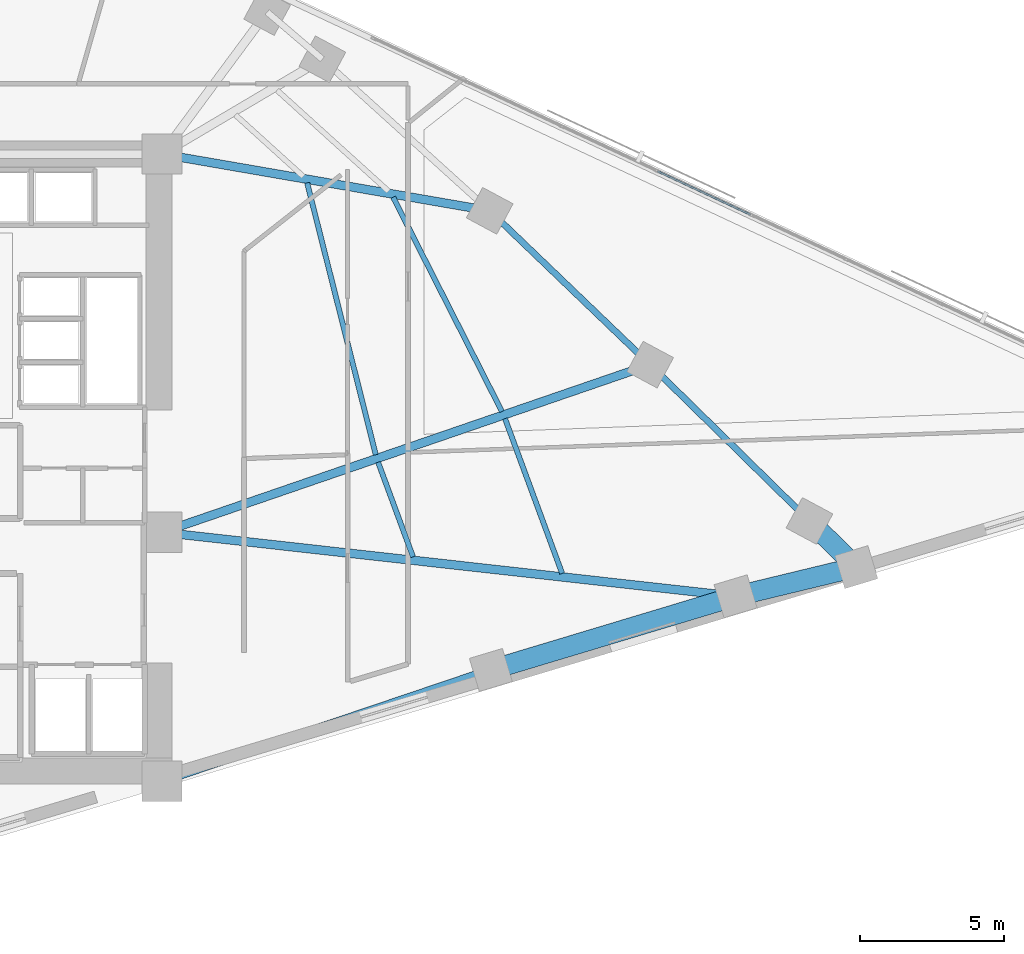
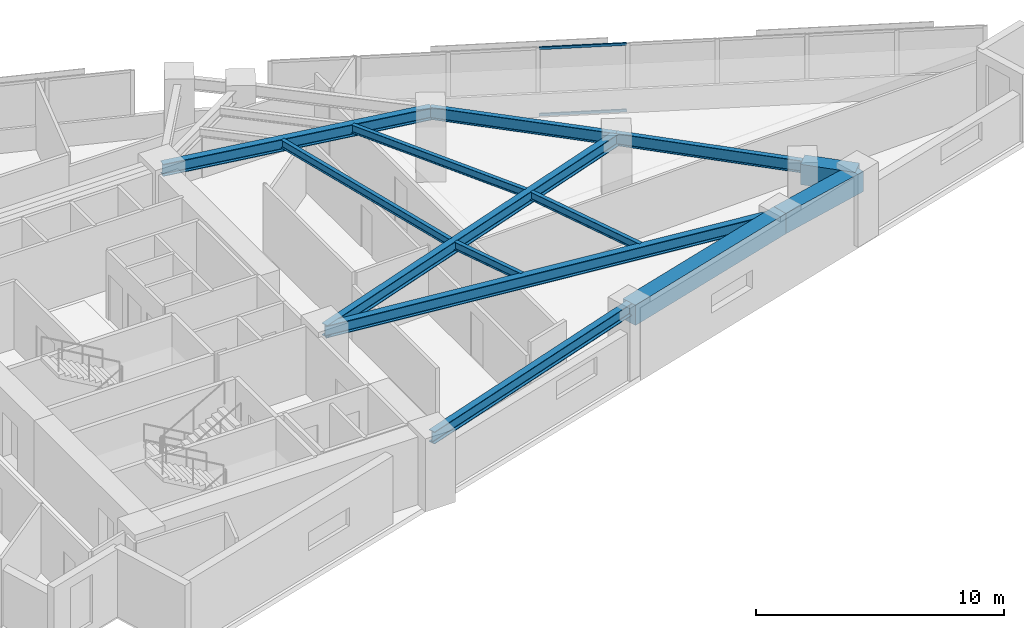
# One storey, part 3 of 15: 13 beams, 2 members, 1 element without a shape of its own.
"""IFC4 building model written with IfcOpenShell, lengths in metres."""

from ifc_helpers import new_model, si_unit, direction, frame, origin, origin_2d, place, context, subcontext, project, spatial, rectangle, hollow_rectangle, i_section, extrude, material, material_profile, profile_set, type_object, element, aggregate, save


model = new_model("IFC4")

# Units and contexts
model_context = context("Model", 3, precision=1e-05, world=origin(), true_north=direction((0.0, 1.0)))
body_context = subcontext(model_context, "Body", "Model", "MODEL_VIEW")
ifc_project = project(units=[si_unit("LENGTHUNIT", "METRE"), si_unit("AREAUNIT", "SQUARE_METRE"), si_unit("VOLUMEUNIT", "CUBIC_METRE"), si_unit("PLANEANGLEUNIT", "RADIAN"), si_unit("MASSUNIT", "GRAM", prefix="KILO")], contexts=[model_context])

# Site, building, storey
site_placement = place(None, origin())
site = spatial("IfcSite", under=ifc_project, at=site_placement, CompositionType="ELEMENT")
building_placement = place(site_placement, origin())
building = spatial("IfcBuilding", under=site, at=building_placement, Name="Narakoshi Arena Tower", CompositionType="ELEMENT")
storey_placement = place(building_placement, frame((0.0, 0.0, 143.10009765625)))
storey = spatial("IfcBuildingStorey", under=building, at=storey_placement, Name="L38", CompositionType="ELEMENT", Elevation=143.10009765625)

# Beams
ifc_material_1 = material(Name="Concrete C60/75", Category="concrete")
ifc_material_profile_1 = material_profile(ifc_material_1, rectangle(XDim=0.699951171875, YDim=1.0, at=origin_2d()), Name="RCB700x1000")
ifc_profile_set_1 = profile_set([ifc_material_profile_1], Name="Concrete C60/75")
beam_type_1 = type_object("IfcBeamType", Name="BM-CPL-1000", PredefinedType="BEAM", material=ifc_profile_set_1)
beam_1_placement = place(storey_placement, frame((96.984619140625, 38.565185546875, 2.83984375), z_axis=(0.957568042752, 0.288207292585, 0.0), x_axis=(-0.288207292585, 0.957568042752, 0.0)))
element("IfcBeam", 1, at=beam_1_placement, inside=storey, type_object=beam_type_1, Name="L38 Perimeter Edge Girder 01", PredefinedType="BEAM", context=body_context, shape_type="SweptSolid", body=[
    extrude(rectangle(XDim=0.699951171875, YDim=1.0, at=origin_2d()), origin(), (0.0, 0.0, 1.0), 8.885986328125),
])
beam_2_placement = place(storey_placement, frame((105.49365234375, 41.126220703125, 2.83984375), z_axis=(0.97211420724, 0.234507927545, 0.0), x_axis=(-0.234507927545, 0.97211420724, 0.0)))
element("IfcBeam", 2, at=beam_2_placement, inside=storey, type_object=beam_type_1, Name="L38 Perimeter Edge Girder 02", PredefinedType="BEAM", context=body_context, shape_type="SweptSolid", body=[
    extrude(rectangle(XDim=0.699951171875, YDim=1.0, at=origin_2d()), origin(), (0.0, 0.0, 1.0), 4.3193359375),
])
beam_3_placement = place(storey_placement, frame((109.692626953125, 42.13916015625, 2.83984375), z_axis=(-0.71252416991, 0.701647566299, 0.0), x_axis=(-0.701647566299, -0.71252416991, 0.0)))
element("IfcBeam", 3, at=beam_3_placement, inside=storey, type_object=beam_type_1, Name="L38 Perimeter Edge Girder 03", PredefinedType="BEAM", context=body_context, shape_type="SweptSolid", body=[
    extrude(rectangle(XDim=0.699951171875, YDim=1.0, at=origin_2d()), origin(), (0.0, 0.0, 1.0), 2.28955078125),
])
ifc_material_2 = material(Name="Structural steel S355J2", Category="steel")
ifc_material_profile_2 = material_profile(ifc_material_2, i_section(OverallWidth=0.219970703125, OverallDepth=0.60009765625, WebThickness=0.011962890625, FlangeThickness=0.01904296875, FilletRadius=0.02392578125, at=origin_2d()), Name="IPE600")
ifc_profile_set_2 = profile_set([ifc_material_profile_2], Name="Structural steel S355J2")
beam_type_2 = type_object("IfcBeamType", Name="BM-EDGE-600", PredefinedType="BEAM", material=ifc_profile_set_2)
beam_4_placement = place(storey_placement, frame((108.061279296875, 43.74560546875, 3.039794921875), z_axis=(-0.713870487965, 0.700277749477, 0.0), x_axis=(-0.700277749477, -0.713870487965, 0.0)))
element("IfcBeam", 4, at=beam_4_placement, inside=storey, type_object=beam_type_2, Name="L38 Perimeter Edge Girder 04", PredefinedType="BEAM", context=body_context, shape_type="SweptSolid", body=[
    extrude(i_section(OverallWidth=0.219970703125, OverallDepth=0.60009765625, WebThickness=0.011962890625, FlangeThickness=0.01904296875, FilletRadius=0.02392578125, at=origin_2d()), origin(), (0.0, 0.0, 1.0), 7.75927734375),
])
beam_5_placement = place(storey_placement, frame((102.522216796875, 49.17919921875, 3.039794921875), z_axis=(-0.721767886663, 0.692135187504, 0.0), x_axis=(-0.692135187504, -0.721767886663, 0.0)))
element("IfcBeam", 5, at=beam_5_placement, inside=storey, type_object=beam_type_2, Name="L38 Perimeter Edge Girder 05", PredefinedType="BEAM", context=body_context, shape_type="SweptSolid", body=[
    extrude(i_section(OverallWidth=0.219970703125, OverallDepth=0.60009765625, WebThickness=0.011962890625, FlangeThickness=0.01904296875, FilletRadius=0.02392578125, at=origin_2d()), origin(), (0.0, 0.0, 1.0), 7.72802734375),
])
ifc_material_profile_3 = material_profile(ifc_material_2, i_section(OverallWidth=0.300048828125, OverallDepth=0.60009765625, WebThickness=0.015380859375, FlangeThickness=0.030029296875, FilletRadius=0.027099609375, at=origin_2d()), Name="HE600B")
ifc_profile_set_3 = profile_set([ifc_material_profile_3], Name="Structural steel S355J2")
beam_type_3 = type_object("IfcBeamType", Name="BM-PRI-600", PredefinedType="BEAM", material=ifc_profile_set_3)
beam_6_placement = place(storey_placement, frame((85.550048828125, 34.699951171875, 3.039794921875), z_axis=(0.947339879376, 0.32022984393, 0.0), x_axis=(-0.32022984393, 0.947339879376, 0.0)))
element("IfcBeam", 6, at=beam_6_placement, inside=storey, type_object=beam_type_3, Name="L38 Radial Primary Floor Girder 01", PredefinedType="BEAM", context=body_context, shape_type="SweptSolid", body=[
    extrude(i_section(OverallWidth=0.300048828125, OverallDepth=0.60009765625, WebThickness=0.015380859375, FlangeThickness=0.030029296875, FilletRadius=0.027099609375, at=origin_2d()), origin(), (0.0, 0.0, 1.0), 12.070068359375),
])
beam_7_placement = place(storey_placement, frame((85.550048828125, 43.35009765625, 3.039794921875), z_axis=(0.99384033484, -0.110821427733, 0.0), x_axis=(0.110821427733, 0.99384033484, 0.0)))
element("IfcBeam", 7, at=beam_7_placement, inside=storey, type_object=beam_type_3, Name="L38 Radial Primary Floor Girder 02", PredefinedType="BEAM", context=body_context, shape_type="SweptSolid", body=[
    extrude(i_section(OverallWidth=0.300048828125, OverallDepth=0.60009765625, WebThickness=0.015380859375, FlangeThickness=0.030029296875, FilletRadius=0.027099609375, at=origin_2d()), origin(), (0.0, 0.0, 1.0), 20.067138671875),
])
beam_8_placement = place(storey_placement, frame((85.550048828125, 43.35009765625, 3.039794921875), z_axis=(0.945773611909, 0.324826530653, 0.0), x_axis=(-0.324826530653, 0.945773611909, 0.0)))
element("IfcBeam", 8, at=beam_8_placement, inside=storey, type_object=beam_type_3, Name="L38 Radial Primary Floor Girder 05", PredefinedType="BEAM", context=body_context, shape_type="SweptSolid", body=[
    extrude(i_section(OverallWidth=0.300048828125, OverallDepth=0.60009765625, WebThickness=0.015380859375, FlangeThickness=0.030029296875, FilletRadius=0.027099609375, at=origin_2d()), origin(), (0.0, 0.0, 1.0), 17.9453125),
])
beam_9_placement = place(storey_placement, frame((85.550048828125, 56.5, 3.039794921875), z_axis=(0.985352893735, -0.170527636492, 0.0), x_axis=(0.170527636492, 0.985352893735, 0.0)))
element("IfcBeam", 9, at=beam_9_placement, inside=storey, type_object=beam_type_3, Name="L38 Radial Primary Floor Girder 06", PredefinedType="BEAM", context=body_context, shape_type="SweptSolid", body=[
    extrude(i_section(OverallWidth=0.300048828125, OverallDepth=0.60009765625, WebThickness=0.015380859375, FlangeThickness=0.030029296875, FilletRadius=0.027099609375, at=origin_2d()), origin(), (0.0, 0.0, 1.0), 11.563720703125),
])
ifc_material_profile_4 = material_profile(ifc_material_2, i_section(OverallWidth=0.179931640625, OverallDepth=0.39990234375, WebThickness=0.008544921875, FlangeThickness=0.013427734375, FilletRadius=0.02099609375, at=origin_2d()), Name="IPE400")
ifc_profile_set_4 = profile_set([ifc_material_profile_4], Name="Structural steel S355J2")
beam_type_4 = type_object("IfcBeamType", Name="BM-SEC-400", PredefinedType="JOIST", material=ifc_profile_set_4)
beam_10_placement = place(storey_placement, frame((94.278564453125, 42.498046875, 3.139892578125), z_axis=(-0.346205363588, 0.938158753209, 0.0), x_axis=(-0.938158753209, -0.346205363588, 0.0)))
element("IfcBeam", 10, at=beam_10_placement, inside=storey, type_object=beam_type_4, Name="L38 Composite Secondary Floor Joist 01", PredefinedType="JOIST", context=body_context, shape_type="SweptSolid", body=[
    extrude(i_section(OverallWidth=0.179931640625, OverallDepth=0.39990234375, WebThickness=0.008544921875, FlangeThickness=0.013427734375, FilletRadius=0.02099609375, at=origin_2d()), origin(), (0.0, 0.0, 1.0), 3.5068359375),
])
beam_11_placement = place(storey_placement, frame((99.4638671875, 41.919921875, 3.139892578125), z_axis=(-0.346162694079, 0.938174498283, 0.0), x_axis=(-0.938174498283, -0.346162694079, 0.0)))
element("IfcBeam", 11, at=beam_11_placement, inside=storey, type_object=beam_type_4, Name="L38 Composite Secondary Floor Joist 02", PredefinedType="JOIST", context=body_context, shape_type="SweptSolid", body=[
    extrude(i_section(OverallWidth=0.179931640625, OverallDepth=0.39990234375, WebThickness=0.008544921875, FlangeThickness=0.013427734375, FilletRadius=0.02099609375, at=origin_2d()), origin(), (0.0, 0.0, 1.0), 5.73876953125),
])
beam_12_placement = place(storey_placement, frame((92.984619140625, 46.0458984375, 3.139892578125), z_axis=(-0.244855712668, 0.969559528845, 0.0), x_axis=(-0.969559528845, -0.244855712668, 0.0)))
element("IfcBeam", 12, at=beam_12_placement, inside=storey, type_object=beam_type_4, Name="L38 Composite Secondary Floor Joist 03", PredefinedType="JOIST", context=body_context, shape_type="SweptSolid", body=[
    extrude(i_section(OverallWidth=0.179931640625, OverallDepth=0.39990234375, WebThickness=0.008544921875, FlangeThickness=0.013427734375, FilletRadius=0.02099609375, at=origin_2d()), origin(), (0.0, 0.0, 1.0), 9.75244140625),
])
beam_13_placement = place(storey_placement, frame((97.369384765625, 47.55078125, 3.139892578125), z_axis=(-0.452757777171, 0.891633554332, 0.0), x_axis=(-0.891633554332, -0.452757777171, 0.0)))
element("IfcBeam", 13, at=beam_13_placement, inside=storey, type_object=beam_type_4, Name="L38 Composite Secondary Floor Joist 04", PredefinedType="JOIST", context=body_context, shape_type="SweptSolid", body=[
    extrude(i_section(OverallWidth=0.179931640625, OverallDepth=0.39990234375, WebThickness=0.008544921875, FlangeThickness=0.013427734375, FilletRadius=0.02099609375, at=origin_2d()), origin(), (0.0, 0.0, 1.0), 8.353759765625),
])

# Curtain wall, members
ifc_material_3 = material(Name="Anodised bronze aluminium 6063-T6", Category="aluminium")
curtain_wall_type = type_object("IfcCurtainWallType", Name="CW-HYP-MID", PredefinedType="NOTDEFINED", material=ifc_material_3)
curtain_wall_placement = place(storey_placement, origin())
curtain_wall = element("IfcCurtainWall", 14, at=curtain_wall_placement, inside=storey, type_object=curtain_wall_type, Name="L38 Folded Hypotenuse Curtain Wall 1-1", PredefinedType="NOTDEFINED")
ifc_material_profile_5 = material_profile(ifc_material_3, hollow_rectangle(XDim=0.06494140625, YDim=0.1298828125, WallThickness=0.00390625, OuterFilletRadius=0.0048828125, at=origin_2d()), Name="TRN130x65x4")
ifc_profile_set_5 = profile_set([ifc_material_profile_5], Name="Anodised bronze aluminium 6063-T6")
member_type = type_object("IfcMemberType", Name="MEM-TRN-130", PredefinedType="USERDEFINED", material=ifc_profile_set_5)
member_1_placement = place(storey_placement, frame((106.008056640625, 54.39404296875, 0.032470703125), z_axis=(-0.905863892755, 0.42356889381, 0.0), x_axis=(-0.42356889381, -0.905863892755, 0.0)))
member_1 = element("IfcMember", 15, at=member_1_placement, type_object=member_type, Name="CW-02 transom 5.1", ObjectType="TRANSOM", PredefinedType="USERDEFINED", context=body_context, shape_type="SweptSolid", body=[
    extrude(hollow_rectangle(XDim=0.06494140625, YDim=0.1298828125, WallThickness=0.00390625, OuterFilletRadius=0.0048828125, at=origin_2d()), origin(), (0.0, 0.0, 1.0), 3.55859375),
])
member_2_placement = place(storey_placement, frame((106.008056640625, 54.39404296875, 3.307373046875), z_axis=(-0.905863892755, 0.42356889381, 0.0), x_axis=(-0.42356889381, -0.905863892755, 0.0)))
member_2 = element("IfcMember", 16, at=member_2_placement, type_object=member_type, Name="CW-02 transom 5.2", ObjectType="TRANSOM", PredefinedType="USERDEFINED", context=body_context, shape_type="SweptSolid", body=[
    extrude(hollow_rectangle(XDim=0.06494140625, YDim=0.1298828125, WallThickness=0.00390625, OuterFilletRadius=0.0048828125, at=origin_2d()), origin(), (0.0, 0.0, 1.0), 3.55859375),
])
aggregate(curtain_wall, [member_1, member_2])

save(model, "model.ifc")
